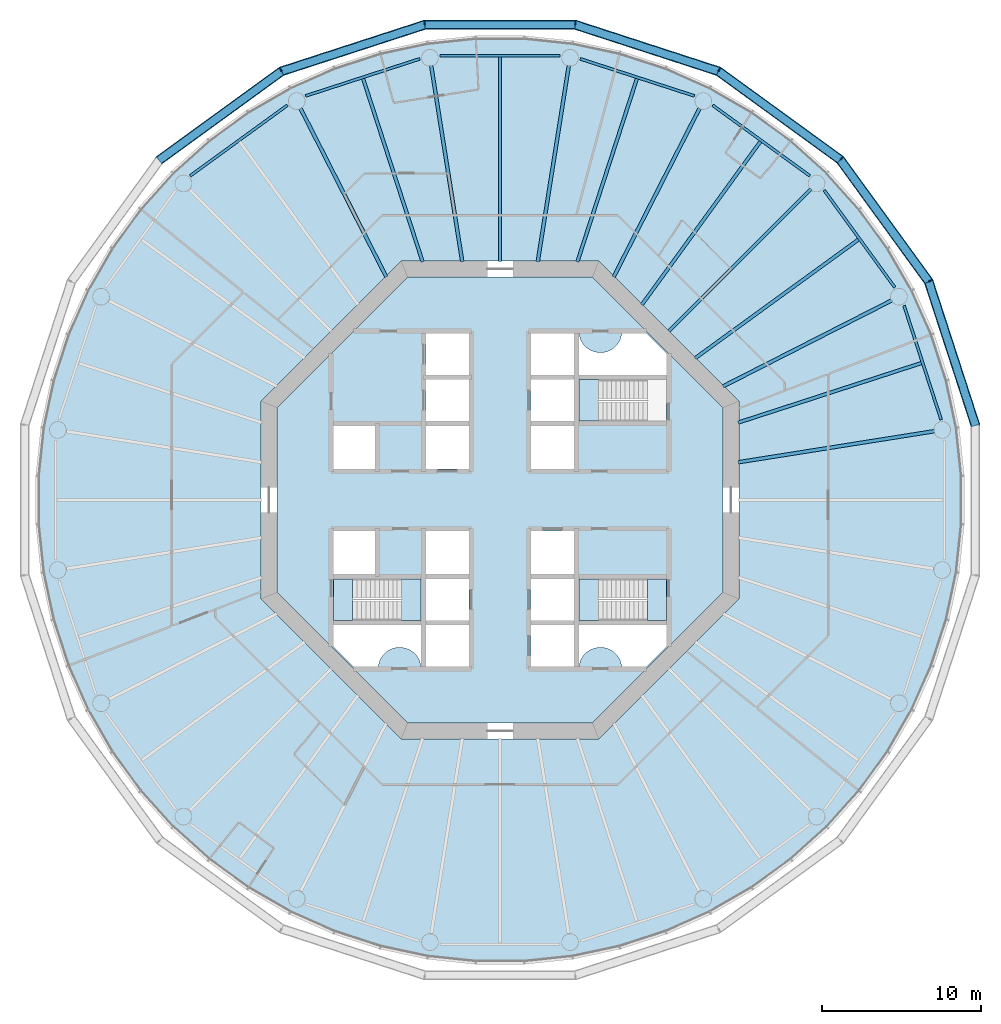
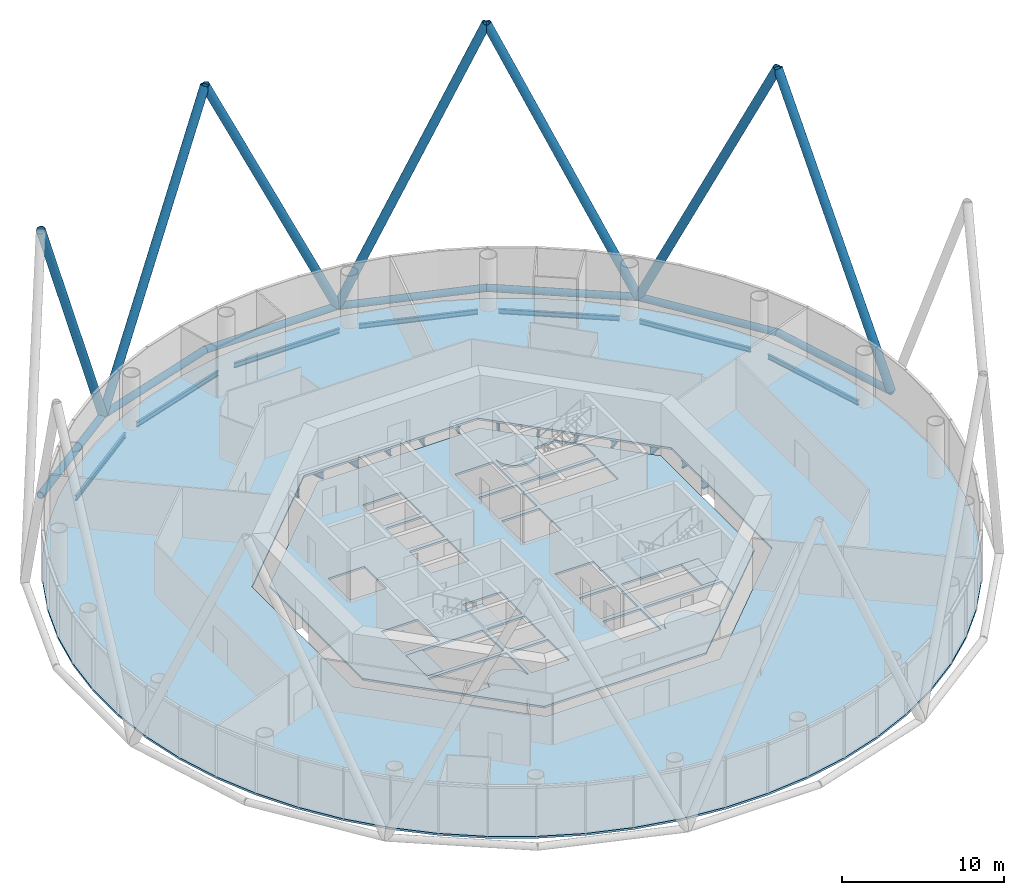
# One storey, part 2 of 12: 20 beams, 14 members, 7 slabs, 3 elements without a shape of their own.
"""IFC4 building model written with IfcOpenShell, lengths in metres."""

from ifc_helpers import new_model, si_unit, direction, frame, origin, origin_2d, place, context, subcontext, project, spatial, polyline, circle, hollow_circle, i_section, outline, extrude, material, layer, layer_set, material_profile, profile_set, type_object, element, aggregate, save


model = new_model("IFC4")

# Units and contexts
model_context = context("Model", 3, precision=1e-05, world=origin(), true_north=direction((0.0, 1.0)))
body_context = subcontext(model_context, "Body", "Model", "MODEL_VIEW")
ifc_project = project(units=[si_unit("LENGTHUNIT", "METRE"), si_unit("AREAUNIT", "SQUARE_METRE"), si_unit("VOLUMEUNIT", "CUBIC_METRE"), si_unit("PLANEANGLEUNIT", "RADIAN"), si_unit("MASSUNIT", "GRAM", prefix="KILO")], contexts=[model_context])

# Site, building, storey
site_placement = place(None, origin())
site = spatial("IfcSite", under=ifc_project, at=site_placement, CompositionType="ELEMENT")
building_placement = place(site_placement, origin())
building = spatial("IfcBuilding", under=site, at=building_placement, Name="Entoto Ring Tower", CompositionType="ELEMENT")
storey_placement = place(building_placement, frame((0.0, 0.0, 144.0)))
storey = spatial("IfcBuildingStorey", under=building, at=storey_placement, Name="L32", CompositionType="ELEMENT", Elevation=144.0)

# Members
ifc_material_1 = material(Name="Steel S355", Category="steel")
ifc_material_profile_1 = material_profile(ifc_material_1, hollow_circle(Radius=0.300048828125, WallThickness=0.030029296875, at=origin_2d()), Name="CHS 600 x 30")
ifc_material_2 = material(Name="Concrete C60/75", Category="concrete")
ifc_material_profile_2 = material_profile(ifc_material_2, circle(Radius=0.27001953125, at=origin_2d()), Name="Concrete C60/75 infill")
ifc_profile_set_1 = profile_set([ifc_material_profile_1, ifc_material_profile_2], Name="Steel S355")
member_type_1 = type_object("IfcMemberType", Name="Diagrid diagonal 600 x 30 concrete-filled tube", PredefinedType="BRACE", material=ifc_profile_set_1)
for number, where, z_axis, x_axis, name in (
    (1, (119.828125, 84.724365234375, 0.0), (-0.131995385813, 0.406250870943, 0.904177774545), (-0.951058940693, -0.309009532745, 0.0), "DG4 module 11 02"),
    (2, (111.354736328125, 101.354736328125, 0.0), (0.2510759177, -0.345588098254, 0.904173517582), (0.809026493198, 0.587772178061, 0.0), "DG4 module 11 03"),
    (3, (111.354736328125, 101.354736328125, 0.0), (-0.345588098254, 0.2510759177, 0.904173517582), (-0.587772178061, -0.809026493198, 0.0), "DG4 module 11 04"),
    (4, (94.724365234375, 109.828125, 0.0), (0.406250870943, -0.131995385813, 0.904177774545), (0.309009532745, 0.951058940693, 0.0), "DG4 module 11 05"),
    (5, (94.724365234375, 109.828125, 0.0), (-0.427164734279, 0.0, 0.904173816137), (0.0, -1.0, 0.0), "DG4 module 11 06"),
    (6, (76.28955078125, 106.908447265625, 0.0), (0.406250870943, 0.131995385813, 0.904177774545), (-0.309009532745, 0.951058940693, 0.0), "DG4 module 11 07"),
    (7, (76.28955078125, 106.908447265625, 0.0), (-0.345588098254, -0.2510759177, 0.904173517582), (0.587772178061, -0.809026493198, 0.0), "DG4 module 11 08"),
):
    element("IfcMember", number, at=place(storey_placement, frame(where, z_axis=z_axis, x_axis=x_axis)), inside=storey, type_object=member_type_1, Name=name, PredefinedType="BRACE", context=body_context, shape_type="SweptSolid", body=[
        extrude(hollow_circle(Radius=0.300048828125, WallThickness=0.030029296875, at=origin_2d()), origin(), (0.0, 0.0, 1.0), 22.11962890625),
    ])
ifc_material_3 = material(Name="Steel S355", Category="steel")
ifc_material_profile_3 = material_profile(ifc_material_3, hollow_circle(Radius=0.25390625, WallThickness=0.030029296875, at=origin_2d()), Name="CHS 508 x 30")
ifc_material_4 = material(Name="Concrete C60/75", Category="concrete")
ifc_material_profile_4 = material_profile(ifc_material_4, circle(Radius=0.22412109375, at=origin_2d()), Name="Concrete C60/75 infill")
ifc_profile_set_2 = profile_set([ifc_material_profile_3, ifc_material_profile_4], Name="Steel S355")
member_type_2 = type_object("IfcMemberType", Name="Diagrid ring beam 508 x 30", PredefinedType="CHORD", material=ifc_profile_set_2)
for number, where, z_axis, x_axis, name in (
    (8, (119.8466796875, 84.6669921875, 0.0), (-0.308993189852, 0.951064250524, 0.0), (-0.951064250524, -0.308993189852, 0.0), "DR2 ring 10 01"),
    (9, (116.94384765625, 93.661865234375, 0.0), (-0.587786303985, 0.809016230274, 0.0), (-0.809016230274, -0.587786303985, 0.0), "DR2 ring 10 02"),
    (10, (111.4033203125, 101.3193359375, 0.0), (-0.809016230274, 0.587786303985, 0.0), (-0.587786303985, -0.809016230274, 0.0), "DR2 ring 10 03"),
    (11, (103.767822265625, 106.889892578125, 0.0), (-0.951064250524, 0.308993189852, 0.0), (-0.308993189852, -0.951064250524, 0.0), "DR2 ring 10 04"),
):
    element("IfcMember", number, at=place(storey_placement, frame(where, z_axis=z_axis, x_axis=x_axis)), inside=storey, type_object=member_type_2, Name=name, PredefinedType="CHORD", context=body_context, shape_type="SweptSolid", body=[
        extrude(hollow_circle(Radius=0.25390625, WallThickness=0.030029296875, at=origin_2d()), origin(), (0.0, 0.0, 1.0), 9.569091796875),
    ])
member_placement = place(storey_placement, frame((94.78466796875, 109.828125, 0.0), z_axis=(-1.0, 0.0, 0.0), x_axis=(0.0, -1.0, 0.0)))
element("IfcMember", 12, at=member_placement, inside=storey, type_object=member_type_2, Name="DR2 ring 10 05", PredefinedType="CHORD", context=body_context, shape_type="SweptSolid", body=[
    extrude(hollow_circle(Radius=0.25390625, WallThickness=0.030029296875, at=origin_2d()), origin(), (0.0, 0.0, 1.0), 9.5693359375),
])
for number, where, z_axis, x_axis, name in (
    (13, (85.3330078125, 109.8466796875, 0.0), (-0.951064250524, -0.308993189852, 0.0), (0.308993189852, -0.951064250524, 0.0), "DR2 ring 10 06"),
    (14, (76.338134765625, 106.94384765625, 0.0), (-0.809016230274, -0.587786303985, 0.0), (0.587786303985, -0.809016230274, 0.0), "DR2 ring 10 07"),
):
    element("IfcMember", number, at=place(storey_placement, frame(where, z_axis=z_axis, x_axis=x_axis)), inside=storey, type_object=member_type_2, Name=name, PredefinedType="CHORD", context=body_context, shape_type="SweptSolid", body=[
        extrude(hollow_circle(Radius=0.25390625, WallThickness=0.030029296875, at=origin_2d()), origin(), (0.0, 0.0, 1.0), 9.569091796875),
    ])

# Beams
ifc_material_5 = material(Name="Steel S355", Category="steel")
ifc_material_profile_5 = material_profile(ifc_material_5, i_section(OverallWidth=0.169921875, OverallDepth=0.360107421875, WebThickness=0.008056640625, FlangeThickness=0.0126953125, FilletRadius=0.01806640625, at=origin_2d()), Name="IPE 360")
ifc_profile_set_3 = profile_set([ifc_material_profile_5], Name="Steel S355")
beam_type_1 = type_object("IfcBeamType", Name="Edge beam IPE 360", PredefinedType="SPANDREL", material=ifc_profile_set_3)
beam_1_placement = place(storey_placement, frame((117.689208984375, 85.03515625, -0.330078125), z_axis=(-0.309025998114, 0.951053590756, 0.0), x_axis=(-0.951053590756, -0.309025998114, 0.0)))
element("IfcBeam", 15, at=beam_1_placement, inside=storey, type_object=beam_type_1, Name="Edge beam L32 01", PredefinedType="SPANDREL", context=body_context, shape_type="SweptSolid", body=[
    extrude(i_section(OverallWidth=0.169921875, OverallDepth=0.360107421875, WebThickness=0.008056640625, FlangeThickness=0.0126953125, FilletRadius=0.01806640625, at=origin_2d()), origin(), (0.0, 0.0, 1.0), 7.535400390625),
])
for number, where, z_axis, x_axis, name in (
    (16, (114.77783203125, 93.34521484375, -0.330078125), (-0.587768988703, 0.809028810315, 0.0), (-0.809028810315, -0.587768988703, 0.0), "Edge beam L32 02"),
    (17, (109.44140625, 100.348876953125, -0.330078125), (-0.809028810315, 0.587768988703, 0.0), (-0.587768988703, -0.809028810315, 0.0), "Edge beam L32 03"),
):
    element("IfcBeam", number, at=place(storey_placement, frame(where, z_axis=z_axis, x_axis=x_axis)), inside=storey, type_object=beam_type_1, Name=name, PredefinedType="SPANDREL", context=body_context, shape_type="SweptSolid", body=[
        extrude(i_section(OverallWidth=0.169921875, OverallDepth=0.360107421875, WebThickness=0.008056640625, FlangeThickness=0.0126953125, FilletRadius=0.01806640625, at=origin_2d()), origin(), (0.0, 0.0, 1.0), 7.53515625),
    ])
beam_2_placement = place(storey_placement, frame((102.20166015625, 105.360595703125, -0.330078125), z_axis=(-0.951053590756, 0.309025998114, 0.0), x_axis=(-0.309025998114, -0.951053590756, 0.0)))
element("IfcBeam", 18, at=beam_2_placement, inside=storey, type_object=beam_type_1, Name="Edge beam L32 04", PredefinedType="SPANDREL", context=body_context, shape_type="SweptSolid", body=[
    extrude(i_section(OverallWidth=0.169921875, OverallDepth=0.360107421875, WebThickness=0.008056640625, FlangeThickness=0.0126953125, FilletRadius=0.01806640625, at=origin_2d()), origin(), (0.0, 0.0, 1.0), 7.535400390625),
])
beam_3_placement = place(storey_placement, frame((93.767578125, 107.889892578125, -0.330078125), z_axis=(-1.0, 0.0, 0.0), x_axis=(0.0, -1.0, 0.0)))
element("IfcBeam", 19, at=beam_3_placement, inside=storey, type_object=beam_type_1, Name="Edge beam L32 05", PredefinedType="SPANDREL", context=body_context, shape_type="SweptSolid", body=[
    extrude(i_section(OverallWidth=0.169921875, OverallDepth=0.360107421875, WebThickness=0.008056640625, FlangeThickness=0.0126953125, FilletRadius=0.01806640625, at=origin_2d()), origin(), (0.0, 0.0, 1.0), 7.53515625),
])
beam_4_placement = place(storey_placement, frame((84.96484375, 107.689208984375, -0.330078125), z_axis=(-0.951053590756, -0.309025998114, 0.0), x_axis=(0.309025998114, -0.951053590756, 0.0)))
element("IfcBeam", 20, at=beam_4_placement, inside=storey, type_object=beam_type_1, Name="Edge beam L32 06", PredefinedType="SPANDREL", context=body_context, shape_type="SweptSolid", body=[
    extrude(i_section(OverallWidth=0.169921875, OverallDepth=0.360107421875, WebThickness=0.008056640625, FlangeThickness=0.0126953125, FilletRadius=0.01806640625, at=origin_2d()), origin(), (0.0, 0.0, 1.0), 7.535400390625),
])
beam_5_placement = place(storey_placement, frame((76.65478515625, 104.77783203125, -0.330078125), z_axis=(-0.809028810315, -0.587768988703, 0.0), x_axis=(0.587768988703, -0.809028810315, 0.0)))
element("IfcBeam", 21, at=beam_5_placement, inside=storey, type_object=beam_type_1, Name="Edge beam L32 07", PredefinedType="SPANDREL", context=body_context, shape_type="SweptSolid", body=[
    extrude(i_section(OverallWidth=0.169921875, OverallDepth=0.360107421875, WebThickness=0.008056640625, FlangeThickness=0.0126953125, FilletRadius=0.01806640625, at=origin_2d()), origin(), (0.0, 0.0, 1.0), 7.53515625),
])
ifc_material_6 = material(Name="Steel S355", Category="steel")
ifc_material_profile_6 = material_profile(ifc_material_6, i_section(OverallWidth=0.219970703125, OverallDepth=0.60009765625, WebThickness=0.011962890625, FlangeThickness=0.01904296875, FilletRadius=0.02392578125, at=origin_2d()), Name="IPE 600")
ifc_profile_set_4 = profile_set([ifc_material_profile_6], Name="Steel S355")
beam_type_2 = type_object("IfcBeamType", Name="Primary floor beam IPE 600", PredefinedType="BEAM", material=ifc_profile_set_4)
beam_6_placement = place(storey_placement, frame((104.963134765625, 82.369873046875, -0.449951171875), z_axis=(0.987687242438, 0.156441398374, 0.0), x_axis=(-0.156441398374, 0.987687242438, 0.0)))
element("IfcBeam", 22, at=beam_6_placement, inside=storey, type_object=beam_type_2, Name="Primary L32 R01", PredefinedType="BEAM", context=body_context, shape_type="SweptSolid", body=[
    extrude(i_section(OverallWidth=0.219970703125, OverallDepth=0.60009765625, WebThickness=0.011962890625, FlangeThickness=0.01904296875, FilletRadius=0.02392578125, at=origin_2d()), origin(), (0.0, 0.0, 1.0), 12.436279296875),
])
beam_7_placement = place(storey_placement, frame((104.003173828125, 87.135009765625, -0.449951171875), z_axis=(0.891011869487, 0.453980008848, 0.0), x_axis=(-0.453980008848, 0.891011869487, 0.0)))
element("IfcBeam", 23, at=beam_7_placement, inside=storey, type_object=beam_type_2, Name="Primary L32 R02", PredefinedType="BEAM", context=body_context, shape_type="SweptSolid", body=[
    extrude(i_section(OverallWidth=0.219970703125, OverallDepth=0.60009765625, WebThickness=0.011962890625, FlangeThickness=0.01904296875, FilletRadius=0.02392578125, at=origin_2d()), origin(), (0.0, 0.0, 1.0), 11.869873046875),
])
beam_8_placement = place(storey_placement, frame((100.592529296875, 90.592529296875, -0.449951171875), z_axis=(0.707106781187, 0.707106781187, 0.0), x_axis=(-0.707106781187, 0.707106781187, 0.0)))
element("IfcBeam", 24, at=beam_8_placement, inside=storey, type_object=beam_type_2, Name="Primary L32 R03", PredefinedType="BEAM", context=body_context, shape_type="SweptSolid", body=[
    extrude(i_section(OverallWidth=0.219970703125, OverallDepth=0.60009765625, WebThickness=0.011962890625, FlangeThickness=0.01904296875, FilletRadius=0.02392578125, at=origin_2d()), origin(), (0.0, 0.0, 1.0), 12.60595703125),
])
beam_9_placement = place(storey_placement, frame((97.135009765625, 94.003173828125, -0.449951171875), z_axis=(0.453980008848, 0.891011869487, 0.0), x_axis=(-0.891011869487, 0.453980008848, 0.0)))
element("IfcBeam", 25, at=beam_9_placement, inside=storey, type_object=beam_type_2, Name="Primary L32 R04", PredefinedType="BEAM", context=body_context, shape_type="SweptSolid", body=[
    extrude(i_section(OverallWidth=0.219970703125, OverallDepth=0.60009765625, WebThickness=0.011962890625, FlangeThickness=0.01904296875, FilletRadius=0.02392578125, at=origin_2d()), origin(), (0.0, 0.0, 1.0), 11.869873046875),
])
for number, where, z_axis, x_axis, name in (
    (26, (92.369873046875, 94.963134765625, -0.449951171875), (0.156441398374, 0.987687242438, 0.0), (-0.987687242438, 0.156441398374, 0.0), "Primary L32 R05"),
    (27, (87.630126953125, 94.963134765625, -0.449951171875), (-0.156441398374, 0.987687242438, 0.0), (-0.987687242438, -0.156441398374, 0.0), "Primary L32 R06"),
):
    element("IfcBeam", number, at=place(storey_placement, frame(where, z_axis=z_axis, x_axis=x_axis)), inside=storey, type_object=beam_type_2, Name=name, PredefinedType="BEAM", context=body_context, shape_type="SweptSolid", body=[
        extrude(i_section(OverallWidth=0.219970703125, OverallDepth=0.60009765625, WebThickness=0.011962890625, FlangeThickness=0.01904296875, FilletRadius=0.02392578125, at=origin_2d()), origin(), (0.0, 0.0, 1.0), 12.436279296875),
    ])
beam_10_placement = place(storey_placement, frame((82.864990234375, 94.003173828125, -0.449951171875), z_axis=(-0.453980008848, 0.891011869487, 0.0), x_axis=(-0.891011869487, -0.453980008848, 0.0)))
element("IfcBeam", 28, at=beam_10_placement, inside=storey, type_object=beam_type_2, Name="Primary L32 R07", PredefinedType="BEAM", context=body_context, shape_type="SweptSolid", body=[
    extrude(i_section(OverallWidth=0.219970703125, OverallDepth=0.60009765625, WebThickness=0.011962890625, FlangeThickness=0.01904296875, FilletRadius=0.02392578125, at=origin_2d()), origin(), (0.0, 0.0, 1.0), 11.869873046875),
])
ifc_material_7 = material(Name="Steel S355", Category="steel")
ifc_material_profile_7 = material_profile(ifc_material_7, i_section(OverallWidth=0.2099609375, OverallDepth=0.550048828125, WebThickness=0.010986328125, FlangeThickness=0.01708984375, FilletRadius=0.02392578125, at=origin_2d()), Name="IPE 550")
ifc_profile_set_5 = profile_set([ifc_material_profile_7], Name="Steel S355")
beam_type_3 = type_object("IfcBeamType", Name="Secondary floor beam IPE 550", PredefinedType="JOIST", material=ifc_profile_set_5)
beam_11_placement = place(storey_placement, frame((104.948486328125, 84.857177734375, -0.425048828125), z_axis=(0.951057518409, 0.309013910167, 0.0), x_axis=(-0.309013910167, 0.951057518409, 0.0)))
element("IfcBeam", 29, at=beam_11_placement, inside=storey, type_object=beam_type_3, Name="Secondary beam L32 01", PredefinedType="JOIST", context=body_context, shape_type="SweptSolid", body=[
    extrude(i_section(OverallWidth=0.2099609375, OverallDepth=0.550048828125, WebThickness=0.010986328125, FlangeThickness=0.01708984375, FilletRadius=0.02392578125, at=origin_2d()), origin(), (0.0, 0.0, 1.0), 12.087158203125),
])
for number, where, z_axis, x_axis, name in (
    (30, (102.2568359375, 88.905029296875, -0.425048828125), (0.809015474848, 0.587787343736, 0.0), (-0.587787343736, 0.809015474848, 0.0), "Secondary beam L32 02"),
    (31, (98.905029296875, 92.2568359375, -0.425048828125), (0.587787343736, 0.809015474848, 0.0), (-0.809015474848, 0.587787343736, 0.0), "Secondary beam L32 03"),
):
    element("IfcBeam", number, at=place(storey_placement, frame(where, z_axis=z_axis, x_axis=x_axis)), inside=storey, type_object=beam_type_3, Name=name, PredefinedType="JOIST", context=body_context, shape_type="SweptSolid", body=[
        extrude(i_section(OverallWidth=0.2099609375, OverallDepth=0.550048828125, WebThickness=0.010986328125, FlangeThickness=0.01708984375, FilletRadius=0.02392578125, at=origin_2d()), origin(), (0.0, 0.0, 1.0), 12.654541015625),
    ])
beam_12_placement = place(storey_placement, frame((94.857177734375, 94.948486328125, -0.425048828125), z_axis=(0.309013910167, 0.951057518409, 0.0), x_axis=(-0.951057518409, 0.309013910167, 0.0)))
element("IfcBeam", 32, at=beam_12_placement, inside=storey, type_object=beam_type_3, Name="Secondary beam L32 04", PredefinedType="JOIST", context=body_context, shape_type="SweptSolid", body=[
    extrude(i_section(OverallWidth=0.2099609375, OverallDepth=0.550048828125, WebThickness=0.010986328125, FlangeThickness=0.01708984375, FilletRadius=0.02392578125, at=origin_2d()), origin(), (0.0, 0.0, 1.0), 12.087158203125),
])
beam_13_placement = place(storey_placement, frame((90.0, 94.97998046875, -0.425048828125), z_axis=(0.0, 1.0, 0.0), x_axis=(-1.0, 0.0, 0.0)))
element("IfcBeam", 33, at=beam_13_placement, inside=storey, type_object=beam_type_3, Name="Secondary beam L32 05", PredefinedType="JOIST", context=body_context, shape_type="SweptSolid", body=[
    extrude(i_section(OverallWidth=0.2099609375, OverallDepth=0.550048828125, WebThickness=0.010986328125, FlangeThickness=0.01708984375, FilletRadius=0.02392578125, at=origin_2d()), origin(), (0.0, 0.0, 1.0), 12.824951171875),
])
beam_14_placement = place(storey_placement, frame((85.142822265625, 94.948486328125, -0.425048828125), z_axis=(-0.309013910167, 0.951057518409, 0.0), x_axis=(-0.951057518409, -0.309013910167, 0.0)))
element("IfcBeam", 34, at=beam_14_placement, inside=storey, type_object=beam_type_3, Name="Secondary beam L32 06", PredefinedType="JOIST", context=body_context, shape_type="SweptSolid", body=[
    extrude(i_section(OverallWidth=0.2099609375, OverallDepth=0.550048828125, WebThickness=0.010986328125, FlangeThickness=0.01708984375, FilletRadius=0.02392578125, at=origin_2d()), origin(), (0.0, 0.0, 1.0), 12.087158203125),
])

# Slabs
ifc_material_8 = material(Name="Concrete C30/37", Category="concrete")
ifc_layer_1 = layer(ifc_material_8, 0.14990234375)
ifc_layer_set_1 = layer_set([ifc_layer_1], Name="Concrete C30/37")
slab_type_1 = type_object("IfcSlabType", Name="Composite floor slab 150 mm", PredefinedType="FLOOR", material=ifc_layer_set_1)
slab_1_placement = place(storey_placement, frame((0.0, 0.0, -0.14990234375)))
element("IfcSlab", 35, at=slab_1_placement, inside=storey, type_object=slab_type_1, Name="Floor slab L32", PredefinedType="FLOOR", context=body_context, shape_type="SweptSolid", body=[
    extrude(outline(polyline([(118.74169921875, 84.55224609375), (118.1083984375, 87.53173828125), (117.167236328125, 90.428466796875), (115.92822265625, 93.211181640625), (114.4052734375, 95.848876953125), (112.614990234375, 98.313232421875), (110.576904296875, 100.576904296875), (108.313232421875, 102.614990234375), (105.848876953125, 104.4052734375), (103.211181640625, 105.92822265625), (100.428466796875, 107.167236328125), (97.53173828125, 108.1083984375), (94.55224609375, 108.74169921875), (91.52294921875, 109.06005859375), (88.47705078125, 109.06005859375), (85.44775390625, 108.74169921875), (82.46826171875, 108.1083984375), (79.571533203125, 107.167236328125), (76.788818359375, 105.92822265625), (74.151123046875, 104.4052734375), (71.686767578125, 102.614990234375), (69.423095703125, 100.576904296875), (67.385009765625, 98.313232421875), (65.5947265625, 95.848876953125), (64.07177734375, 93.211181640625), (62.832763671875, 90.428466796875), (61.8916015625, 87.53173828125), (61.25830078125, 84.55224609375), (60.93994140625, 81.52294921875), (60.93994140625, 78.47705078125), (61.25830078125, 75.44775390625), (61.8916015625, 72.46826171875), (62.832763671875, 69.571533203125), (64.07177734375, 66.788818359375), (65.5947265625, 64.151123046875), (67.385009765625, 61.686767578125), (69.423095703125, 59.423095703125), (71.686767578125, 57.385009765625), (74.151123046875, 55.5947265625), (76.788818359375, 54.07177734375), (79.571533203125, 52.832763671875), (82.46826171875, 51.8916015625), (85.44775390625, 51.25830078125), (88.47705078125, 50.93994140625), (91.52294921875, 50.93994140625), (94.55224609375, 51.25830078125), (97.53173828125, 51.8916015625), (100.428466796875, 52.832763671875), (103.211181640625, 54.07177734375), (105.848876953125, 55.5947265625), (108.313232421875, 57.385009765625), (110.576904296875, 59.423095703125), (112.614990234375, 61.686767578125), (114.4052734375, 64.151123046875), (115.92822265625, 66.788818359375), (117.167236328125, 69.571533203125), (118.1083984375, 72.46826171875), (118.74169921875, 75.44775390625), (119.06005859375, 78.47705078125), (119.06005859375, 81.52294921875), (118.74169921875, 84.55224609375)]), holes=[polyline([(105.0, 73.786865234375), (105.0, 86.213134765625), (96.213134765625, 95.0), (83.786865234375, 95.0), (75.0, 86.213134765625), (75.0, 73.786865234375), (83.786865234375, 65.0), (96.213134765625, 65.0), (105.0, 73.786865234375)])]), origin(), (0.0, 0.0, 1.0), 0.14990234375),
])
ifc_material_9 = material(Name="Concrete C40/50", Category="concrete")
ifc_layer_2 = layer(ifc_material_9, 0.14990234375)
ifc_layer_set_2 = layer_set([ifc_layer_2], Name="Concrete C40/50")
slab_type_2 = type_object("IfcSlabType", Name="Core floor slab 150 mm reinforced concrete C40/50", PredefinedType="FLOOR", material=ifc_layer_set_2)
slab_2_placement = place(storey_placement, frame((0.0, 0.0, -0.14990234375)))
element("IfcSlab", 36, at=slab_2_placement, inside=storey, type_object=slab_type_2, Name="Core floor L32", PredefinedType="FLOOR", context=body_context, shape_type="SweptSolid", body=[
    extrude(outline(polyline([(104.0, 74.200927734375), (104.0, 85.799072265625), (95.799072265625, 94.0), (84.200927734375, 94.0), (76.0, 85.799072265625), (76.0, 74.200927734375), (84.200927734375, 66.0), (95.799072265625, 66.0), (104.0, 74.200927734375)]), holes=[polyline([(100.449951171875, 84.949951171875), (100.449951171875, 87.550048828125), (94.949951171875, 87.550048828125), (94.949951171875, 84.949951171875), (100.449951171875, 84.949951171875)]), polyline([(85.050048828125, 72.449951171875), (85.050048828125, 75.050048828125), (79.550048828125, 75.050048828125), (79.550048828125, 72.449951171875), (85.050048828125, 72.449951171875)]), polyline([(100.449951171875, 72.449951171875), (100.449951171875, 75.050048828125), (94.949951171875, 75.050048828125), (94.949951171875, 72.449951171875), (100.449951171875, 72.449951171875)]), polyline([(91.949951171875, 84.949951171875), (94.64990234375, 84.949951171875), (94.64990234375, 87.550048828125), (91.949951171875, 87.550048828125), (91.949951171875, 84.949951171875)]), polyline([(91.949951171875, 72.449951171875), (94.64990234375, 72.449951171875), (94.64990234375, 75.050048828125), (91.949951171875, 75.050048828125), (91.949951171875, 72.449951171875)]), polyline([(91.949951171875, 69.550048828125), (94.64990234375, 69.550048828125), (94.64990234375, 72.14990234375), (91.949951171875, 72.14990234375), (91.949951171875, 69.550048828125)]), polyline([(85.35009765625, 72.449951171875), (88.050048828125, 72.449951171875), (88.050048828125, 75.050048828125), (85.35009765625, 75.050048828125), (85.35009765625, 72.449951171875)]), polyline([(85.35009765625, 81.949951171875), (88.050048828125, 81.949951171875), (88.050048828125, 84.64990234375), (85.35009765625, 84.64990234375), (85.35009765625, 81.949951171875)]), polyline([(91.949951171875, 75.35009765625), (94.64990234375, 75.35009765625), (94.64990234375, 78.050048828125), (91.949951171875, 78.050048828125), (91.949951171875, 75.35009765625)]), polyline([(79.550048828125, 81.949951171875), (82.14990234375, 81.949951171875), (82.14990234375, 84.64990234375), (79.550048828125, 84.64990234375), (79.550048828125, 81.949951171875)]), polyline([(79.550048828125, 75.35009765625), (82.14990234375, 75.35009765625), (82.14990234375, 78.050048828125), (79.550048828125, 78.050048828125), (79.550048828125, 75.35009765625)]), polyline([(91.949951171875, 87.85009765625), (94.64990234375, 87.85009765625), (94.64990234375, 90.449951171875), (91.949951171875, 90.449951171875), (91.949951171875, 87.85009765625)]), polyline([(85.35009765625, 69.550048828125), (88.050048828125, 69.550048828125), (88.050048828125, 72.14990234375), (85.35009765625, 72.14990234375), (85.35009765625, 69.550048828125)]), polyline([(91.949951171875, 81.949951171875), (94.64990234375, 81.949951171875), (94.64990234375, 84.64990234375), (91.949951171875, 84.64990234375), (91.949951171875, 81.949951171875)]), polyline([(85.35009765625, 75.35009765625), (88.050048828125, 75.35009765625), (88.050048828125, 78.050048828125), (85.35009765625, 78.050048828125), (85.35009765625, 75.35009765625)]), polyline([(85.35009765625, 84.949951171875), (88.050048828125, 84.949951171875), (88.050048828125, 87.550048828125), (85.35009765625, 87.550048828125), (85.35009765625, 84.949951171875)]), polyline([(85.35009765625, 87.85009765625), (88.050048828125, 87.85009765625), (88.050048828125, 90.449951171875), (85.35009765625, 90.449951171875), (85.35009765625, 87.85009765625)]), polyline([(94.89990234375, 90.5), (94.89990234375, 87.800048828125), (100.5, 87.800048828125), (100.5, 89.15771484375), (99.15771484375, 90.5), (97.64501953125, 90.5), (97.6435546875, 90.4677734375), (97.6240234375, 90.336669921875), (97.591796875, 90.2080078125), (97.547119140625, 90.08349609375), (97.490478515625, 89.963623046875), (97.422607421875, 89.85009765625), (97.343505859375, 89.74365234375), (97.254638671875, 89.6455078125), (97.156494140625, 89.556396484375), (97.050048828125, 89.4775390625), (96.936279296875, 89.409423828125), (96.816650390625, 89.352783203125), (96.69189453125, 89.30810546875), (96.5634765625, 89.27587890625), (96.432373046875, 89.256591796875), (96.300048828125, 89.25), (96.167724609375, 89.256591796875), (96.03662109375, 89.27587890625), (95.908203125, 89.30810546875), (95.783447265625, 89.352783203125), (95.66357421875, 89.409423828125), (95.550048828125, 89.4775390625), (95.443603515625, 89.556396484375), (95.345458984375, 89.6455078125), (95.25634765625, 89.74365234375), (95.177490234375, 89.85009765625), (95.109375, 89.963623046875), (95.052734375, 90.08349609375), (95.008056640625, 90.2080078125), (94.975830078125, 90.336669921875), (94.95654296875, 90.4677734375), (94.954833984375, 90.5), (94.89990234375, 90.5)]), polyline([(79.5, 70.84228515625), (80.84228515625, 69.5), (82.35498046875, 69.5), (82.3564453125, 69.5322265625), (82.3759765625, 69.663330078125), (82.408203125, 69.7919921875), (82.452880859375, 69.91650390625), (82.509521484375, 70.036376953125), (82.577392578125, 70.14990234375), (82.656494140625, 70.25634765625), (82.745361328125, 70.3544921875), (82.843505859375, 70.443603515625), (82.949951171875, 70.5224609375), (83.063720703125, 70.590576171875), (83.183349609375, 70.647216796875), (83.30810546875, 70.69189453125), (83.4365234375, 70.72412109375), (83.567626953125, 70.743408203125), (83.699951171875, 70.75), (83.832275390625, 70.743408203125), (83.96337890625, 70.72412109375), (84.091796875, 70.69189453125), (84.216552734375, 70.647216796875), (84.33642578125, 70.590576171875), (84.449951171875, 70.5224609375), (84.556396484375, 70.443603515625), (84.654541015625, 70.3544921875), (84.74365234375, 70.25634765625), (84.822509765625, 70.14990234375), (84.890625, 70.036376953125), (84.947265625, 69.91650390625), (84.991943359375, 69.7919921875), (85.024169921875, 69.663330078125), (85.04345703125, 69.5322265625), (85.045166015625, 69.5), (85.10009765625, 69.5), (85.10009765625, 72.199951171875), (79.5, 72.199951171875), (79.5, 70.84228515625)]), polyline([(97.64501953125, 69.5), (99.15771484375, 69.5), (100.5, 70.84228515625), (100.5, 72.199951171875), (94.89990234375, 72.199951171875), (94.89990234375, 69.5), (94.954833984375, 69.5), (94.95654296875, 69.5322265625), (94.975830078125, 69.663330078125), (95.008056640625, 69.7919921875), (95.052734375, 69.91650390625), (95.109375, 70.036376953125), (95.177490234375, 70.14990234375), (95.25634765625, 70.25634765625), (95.345458984375, 70.3544921875), (95.443603515625, 70.443603515625), (95.550048828125, 70.5224609375), (95.66357421875, 70.590576171875), (95.783447265625, 70.647216796875), (95.908203125, 70.69189453125), (96.03662109375, 70.72412109375), (96.167724609375, 70.743408203125), (96.300048828125, 70.75), (96.432373046875, 70.743408203125), (96.5634765625, 70.72412109375), (96.69189453125, 70.69189453125), (96.816650390625, 70.647216796875), (96.936279296875, 70.590576171875), (97.050048828125, 70.5224609375), (97.156494140625, 70.443603515625), (97.254638671875, 70.3544921875), (97.343505859375, 70.25634765625), (97.422607421875, 70.14990234375), (97.490478515625, 70.036376953125), (97.547119140625, 69.91650390625), (97.591796875, 69.7919921875), (97.6240234375, 69.663330078125), (97.6435546875, 69.5322265625), (97.64501953125, 69.5)])]), origin(), (0.0, 0.0, 1.0), 0.14990234375),
])

# Stair, slab
ifc_material_10 = material(Name="Concrete C40/50", Category="concrete")
stair_type = type_object("IfcStairType", Name="Exit stair 1200 mm dog-leg reinforced concrete", PredefinedType="HALF_TURN_STAIR", material=ifc_material_10)
stair_1_placement = place(storey_placement, origin())
stair_1 = element("IfcStair", 37, at=stair_1_placement, inside=storey, type_object=stair_type, Name="Exit stair 1", PredefinedType="HALF_TURN_STAIR")
ifc_material_11 = material(Name="Concrete C40/50", Category="concrete")
ifc_layer_3 = layer(ifc_material_11, 0.199951171875)
ifc_layer_set_3 = layer_set([ifc_layer_3], Name="Concrete C40/50")
slab_type_3 = type_object("IfcSlabType", Name="Stair landing 200 mm reinforced concrete", PredefinedType="LANDING", material=ifc_layer_set_3)
slab_3_placement = place(storey_placement, frame((0.0, 0.0, 1.800048828125)))
slab_3 = element("IfcSlab", 38, at=slab_3_placement, type_object=slab_type_3, Name="ST1 landing 2", PredefinedType="LANDING", context=body_context, shape_type="SweptSolid", body=[
    extrude(outline(polyline([(94.949951171875, 84.949951171875), (96.169921875, 84.949951171875), (96.169921875, 87.550048828125), (94.949951171875, 87.550048828125), (94.949951171875, 84.949951171875)])), origin(), (0.0, 0.0, 1.0), 0.199951171875),
])
aggregate(stair_1, [slab_3])

# Stair, slabs
stair_2_placement = place(storey_placement, origin())
stair_2 = element("IfcStair", 39, at=stair_2_placement, inside=storey, type_object=stair_type, Name="Exit stair 2", PredefinedType="HALF_TURN_STAIR")
slab_4_placement = place(storey_placement, frame((0.0, 0.0, -0.199951171875)))
slab_4 = element("IfcSlab", 40, at=slab_4_placement, type_object=slab_type_3, Name="ST2 landing 1", PredefinedType="LANDING", context=body_context, shape_type="SweptSolid", body=[
    extrude(outline(polyline([(80.75, 72.449951171875), (80.75, 75.050048828125), (79.550048828125, 75.050048828125), (79.550048828125, 72.449951171875), (80.75, 72.449951171875)])), origin(), (0.0, 0.0, 1.0), 0.199951171875),
])
slab_5_placement = place(storey_placement, frame((0.0, 0.0, 1.800048828125)))
slab_5 = element("IfcSlab", 41, at=slab_5_placement, type_object=slab_type_3, Name="ST2 landing 2", PredefinedType="LANDING", context=body_context, shape_type="SweptSolid", body=[
    extrude(outline(polyline([(83.830078125, 72.449951171875), (85.050048828125, 72.449951171875), (85.050048828125, 75.050048828125), (83.830078125, 75.050048828125), (83.830078125, 72.449951171875)])), origin(), (0.0, 0.0, 1.0), 0.199951171875),
])
aggregate(stair_2, [slab_4, slab_5])

stair_3_placement = place(storey_placement, origin())
stair_3 = element("IfcStair", 42, at=stair_3_placement, inside=storey, type_object=stair_type, Name="Exit stair 3", PredefinedType="HALF_TURN_STAIR")
slab_6_placement = place(storey_placement, frame((0.0, 0.0, -0.199951171875)))
slab_6 = element("IfcSlab", 43, at=slab_6_placement, type_object=slab_type_3, Name="ST3 landing 1", PredefinedType="LANDING", context=body_context, shape_type="SweptSolid", body=[
    extrude(outline(polyline([(100.449951171875, 72.449951171875), (100.449951171875, 75.050048828125), (99.25, 75.050048828125), (99.25, 72.449951171875), (100.449951171875, 72.449951171875)])), origin(), (0.0, 0.0, 1.0), 0.199951171875),
])
slab_7_placement = place(storey_placement, frame((0.0, 0.0, 1.800048828125)))
slab_7 = element("IfcSlab", 44, at=slab_7_placement, type_object=slab_type_3, Name="ST3 landing 2", PredefinedType="LANDING", context=body_context, shape_type="SweptSolid", body=[
    extrude(outline(polyline([(94.949951171875, 72.449951171875), (96.169921875, 72.449951171875), (96.169921875, 75.050048828125), (94.949951171875, 75.050048828125), (94.949951171875, 72.449951171875)])), origin(), (0.0, 0.0, 1.0), 0.199951171875),
])
aggregate(stair_3, [slab_6, slab_7])

save(model, "model.ifc")
